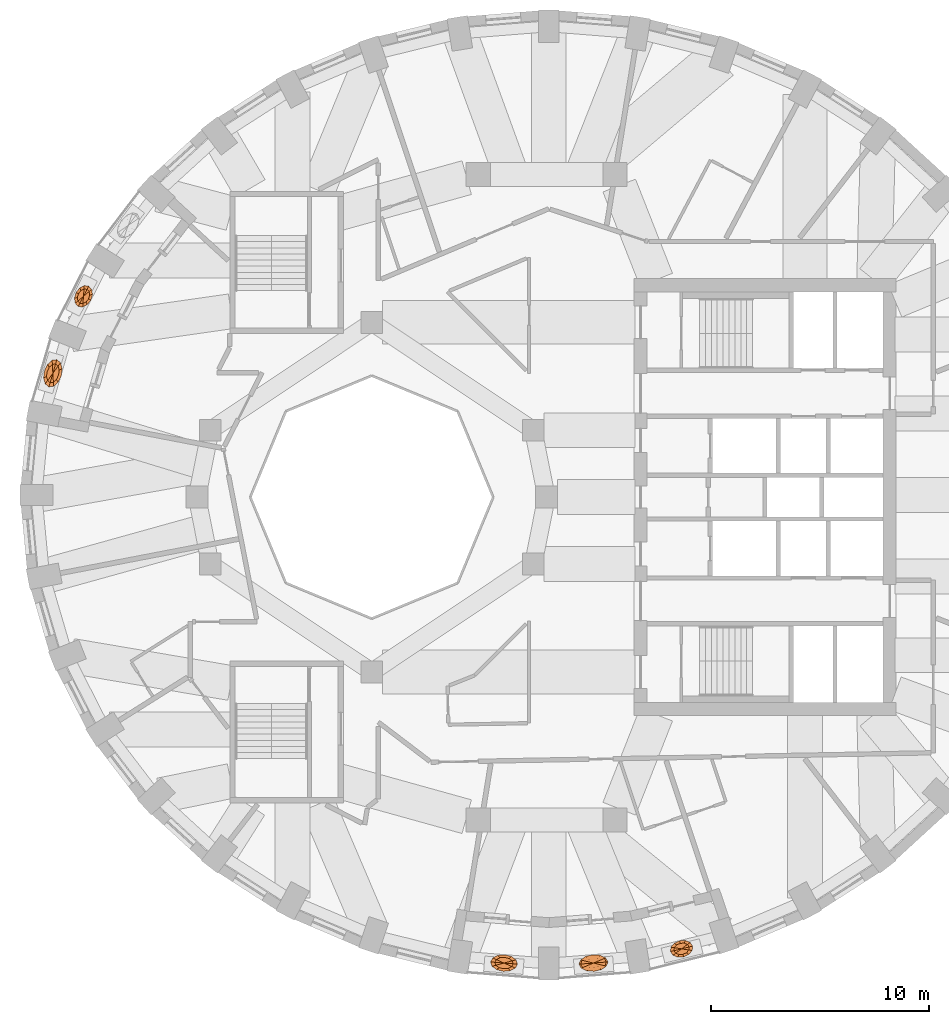
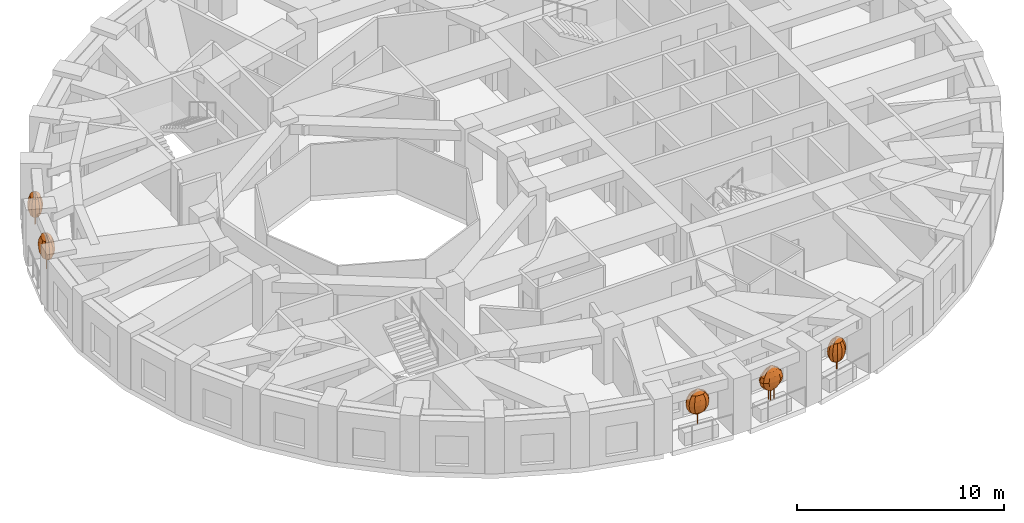
# One storey, part 10 of 11: 5 geographic elements.
"""IFC4 building model written with IfcOpenShell, lengths in metres."""

from ifc_helpers import new_model, si_unit, direction, frame, origin, place, context, subcontext, project, spatial, faceted_brep, material, constituent, constituent_set, type_object, element, save


model = new_model("IFC4")

# Units and contexts
model_context = context("Model", 3, precision=1e-05, world=origin(), true_north=direction((0.0, 1.0)))
body_context = subcontext(model_context, "Body", "Model", "MODEL_VIEW")
ifc_project = project(units=[si_unit("LENGTHUNIT", "METRE"), si_unit("AREAUNIT", "SQUARE_METRE"), si_unit("VOLUMEUNIT", "CUBIC_METRE"), si_unit("PLANEANGLEUNIT", "RADIAN"), si_unit("MASSUNIT", "GRAM", prefix="KILO")], contexts=[model_context])

# Site, building, storey
site_placement = place(None, origin())
site = spatial("IfcSite", under=ifc_project, at=site_placement, CompositionType="ELEMENT")
building_placement = place(site_placement, origin())
building = spatial("IfcBuilding", under=site, at=building_placement, Name="Taillehof Tower", CompositionType="ELEMENT")
storey_placement = place(building_placement, frame((0.0, 0.0, 158.300048828125)))
storey = spatial("IfcBuildingStorey", under=building, at=storey_placement, Name="L44", CompositionType="ELEMENT", Elevation=158.300048828125)

# Geographic elements
ifc_material_1 = material(Name="Tree bark", Category="timber")
ifc_constituent_1 = constituent(ifc_material_1, Name="Trunk", Category="timber")
ifc_material_2 = material(Name="Tree foliage")
ifc_constituent_2 = constituent(ifc_material_2, Name="Crown")
ifc_constituent_set_1 = constituent_set(constituents=[ifc_constituent_1, ifc_constituent_2], Name="Tree TR1 Columnar hornbeam")
geographic_element_type_1 = type_object("IfcGeographicElementType", Name="Tree TR1 Columnar hornbeam", PredefinedType="USERDEFINED", material=ifc_constituent_set_1)
geographic_element_1_placement = place(storey_placement, frame((-1.947265625, -21.32421875, 0.75)))
element("IfcGeographicElement", 1, at=geographic_element_1_placement, inside=storey, type_object=geographic_element_type_1, Name="Tree TR1 Columnar hornbeam", ObjectType="TREE", PredefinedType="USERDEFINED", context=body_context, shape_type="Brep", body=[
    faceted_brep([(0.030029296875, 0.0, 0.0), (0.021240234375, 0.021240234375, 0.0), (0.021240234375, 0.021240234375, 1.092529296875), (0.030029296875, 0.0, 1.092529296875), (0.0, 0.030029296875, 0.0), (0.0, 0.030029296875, 1.092529296875), (-0.021240234375, 0.021240234375, 0.0), (-0.021240234375, 0.021240234375, 1.092529296875), (-0.030029296875, 0.0, 0.0), (-0.030029296875, 0.0, 1.092529296875), (-0.021240234375, -0.021240234375, 0.0), (-0.021240234375, -0.021240234375, 1.092529296875), (0.0, -0.030029296875, 0.0), (0.0, -0.030029296875, 1.092529296875), (0.021240234375, -0.021240234375, 0.0), (0.021240234375, -0.021240234375, 1.092529296875)], [[[0, 1, 2, 3]], [[1, 4, 5, 2]], [[4, 6, 7, 5]], [[6, 8, 9, 7]], [[8, 10, 11, 9]], [[10, 12, 13, 11]], [[12, 14, 15, 13]], [[14, 0, 3, 15]], [[14, 12, 10, 8, 6, 4, 1, 0]], [[3, 2, 5, 7, 9, 11, 13, 15]]]),
    faceted_brep([(0.0, 0.0, 0.550048828125), (0.37451171875, 0.10009765625, 0.808349609375), (0.42041015625, -0.03369140625, 0.808349609375), (0.22802734375, 0.207275390625, 0.808349609375), (0.020751953125, 0.2587890625, 0.808349609375), (-0.1923828125, 0.240966796875, 0.808349609375), (-0.353759765625, 0.158447265625, 0.808349609375), (-0.42041015625, 0.03369140625, 0.808349609375), (-0.37451171875, -0.10009765625, 0.808349609375), (-0.22802734375, -0.207275390625, 0.808349609375), (-0.020751953125, -0.2587890625, 0.808349609375), (0.1923828125, -0.240966796875, 0.808349609375), (0.353759765625, -0.158447265625, 0.808349609375), (0.506591796875, 0.135498046875, 1.066650390625), (0.568603515625, -0.04541015625, 1.066650390625), (0.30859375, 0.2802734375, 1.066650390625), (0.028076171875, 0.35009765625, 1.066650390625), (-0.260009765625, 0.325927734375, 1.066650390625), (-0.478515625, 0.21435546875, 1.066650390625), (-0.568603515625, 0.04541015625, 1.066650390625), (-0.506591796875, -0.135498046875, 1.066650390625), (-0.30859375, -0.2802734375, 1.066650390625), (-0.028076171875, -0.35009765625, 1.066650390625), (0.260009765625, -0.325927734375, 1.066650390625), (0.478515625, -0.21435546875, 1.066650390625), (0.54833984375, 0.146728515625, 1.324951171875), (0.615478515625, -0.04931640625, 1.324951171875), (0.333984375, 0.303466796875, 1.324951171875), (0.0302734375, 0.37890625, 1.324951171875), (-0.281494140625, 0.352783203125, 1.324951171875), (-0.517822265625, 0.232177734375, 1.324951171875), (-0.615478515625, 0.04931640625, 1.324951171875), (-0.54833984375, -0.146728515625, 1.324951171875), (-0.333984375, -0.303466796875, 1.324951171875), (-0.0302734375, -0.37890625, 1.324951171875), (0.281494140625, -0.352783203125, 1.324951171875), (0.517822265625, -0.232177734375, 1.324951171875), (0.506591796875, 0.135498046875, 1.583251953125), (0.568603515625, -0.04541015625, 1.583251953125), (0.30859375, 0.2802734375, 1.583251953125), (0.028076171875, 0.35009765625, 1.583251953125), (-0.260009765625, 0.325927734375, 1.583251953125), (-0.478515625, 0.21435546875, 1.583251953125), (-0.568603515625, 0.04541015625, 1.583251953125), (-0.506591796875, -0.135498046875, 1.583251953125), (-0.30859375, -0.2802734375, 1.583251953125), (-0.028076171875, -0.35009765625, 1.583251953125), (0.260009765625, -0.325927734375, 1.583251953125), (0.478515625, -0.21435546875, 1.583251953125), (0.37451171875, 0.10009765625, 1.841552734375), (0.42041015625, -0.03369140625, 1.841552734375), (0.22802734375, 0.207275390625, 1.841552734375), (0.020751953125, 0.2587890625, 1.841552734375), (-0.1923828125, 0.240966796875, 1.841552734375), (-0.353759765625, 0.158447265625, 1.841552734375), (-0.42041015625, 0.03369140625, 1.841552734375), (-0.37451171875, -0.10009765625, 1.841552734375), (-0.22802734375, -0.207275390625, 1.841552734375), (-0.020751953125, -0.2587890625, 1.841552734375), (0.1923828125, -0.240966796875, 1.841552734375), (0.353759765625, -0.158447265625, 1.841552734375), (0.0, 0.0, 2.10009765625)], [[[0, 1, 2]], [[0, 3, 1]], [[0, 4, 3]], [[0, 5, 4]], [[0, 6, 5]], [[0, 7, 6]], [[0, 8, 7]], [[0, 9, 8]], [[0, 10, 9]], [[0, 11, 10]], [[0, 12, 11]], [[0, 2, 12]], [[2, 1, 13, 14]], [[1, 3, 15, 13]], [[3, 4, 16, 15]], [[4, 5, 17, 16]], [[5, 6, 18, 17]], [[6, 7, 19, 18]], [[7, 8, 20, 19]], [[8, 9, 21, 20]], [[9, 10, 22, 21]], [[10, 11, 23, 22]], [[11, 12, 24, 23]], [[12, 2, 14, 24]], [[14, 13, 25, 26]], [[13, 15, 27, 25]], [[15, 16, 28, 27]], [[16, 17, 29, 28]], [[17, 18, 30, 29]], [[18, 19, 31, 30]], [[19, 20, 32, 31]], [[20, 21, 33, 32]], [[21, 22, 34, 33]], [[22, 23, 35, 34]], [[23, 24, 36, 35]], [[24, 14, 26, 36]], [[26, 25, 37, 38]], [[25, 27, 39, 37]], [[27, 28, 40, 39]], [[28, 29, 41, 40]], [[29, 30, 42, 41]], [[30, 31, 43, 42]], [[31, 32, 44, 43]], [[32, 33, 45, 44]], [[33, 34, 46, 45]], [[34, 35, 47, 46]], [[35, 36, 48, 47]], [[36, 26, 38, 48]], [[38, 37, 49, 50]], [[37, 39, 51, 49]], [[39, 40, 52, 51]], [[40, 41, 53, 52]], [[41, 42, 54, 53]], [[42, 43, 55, 54]], [[43, 44, 56, 55]], [[44, 45, 57, 56]], [[45, 46, 58, 57]], [[46, 47, 59, 58]], [[47, 48, 60, 59]], [[48, 38, 50, 60]], [[50, 49, 61]], [[49, 51, 61]], [[51, 52, 61]], [[52, 53, 61]], [[53, 54, 61]], [[54, 55, 61]], [[55, 56, 61]], [[56, 57, 61]], [[57, 58, 61]], [[58, 59, 61]], [[59, 60, 61]], [[60, 50, 61]]]),
])
geographic_element_2_placement = place(storey_placement, frame((-22.59619140625, 5.668212890625, 0.75)))
element("IfcGeographicElement", 2, at=geographic_element_2_placement, inside=storey, type_object=geographic_element_type_1, Name="Tree TR1 Columnar hornbeam", ObjectType="TREE", PredefinedType="USERDEFINED", context=body_context, shape_type="Brep", body=[
    faceted_brep([(0.030029296875, 0.0, 0.0), (0.021240234375, 0.021240234375, 0.0), (0.021240234375, 0.021240234375, 1.092529296875), (0.030029296875, 0.0, 1.092529296875), (0.0, 0.030029296875, 0.0), (0.0, 0.030029296875, 1.092529296875), (-0.021240234375, 0.021240234375, 0.0), (-0.021240234375, 0.021240234375, 1.092529296875), (-0.030029296875, 0.0, 0.0), (-0.030029296875, 0.0, 1.092529296875), (-0.021240234375, -0.021240234375, 0.0), (-0.021240234375, -0.021240234375, 1.092529296875), (0.0, -0.030029296875, 0.0), (0.0, -0.030029296875, 1.092529296875), (0.021240234375, -0.021240234375, 0.0), (0.021240234375, -0.021240234375, 1.092529296875)], [[[0, 1, 2, 3]], [[1, 4, 5, 2]], [[4, 6, 7, 5]], [[6, 8, 9, 7]], [[8, 10, 11, 9]], [[10, 12, 13, 11]], [[12, 14, 15, 13]], [[14, 0, 3, 15]], [[14, 12, 10, 8, 6, 4, 1, 0]], [[3, 2, 5, 7, 9, 11, 13, 15]]]),
    faceted_brep([(0.0, 0.0, 0.550048828125), (0.02294921875, -0.407470703125, 0.808349609375), (-0.124755859375, -0.426025390625, 0.808349609375), (0.16455078125, -0.279541015625, 0.808349609375), (0.26220703125, -0.076904296875, 0.808349609375), (0.28955078125, 0.146484375, 0.808349609375), (0.2392578125, 0.33056640625, 0.808349609375), (0.124755859375, 0.426025390625, 0.808349609375), (-0.02294921875, 0.407470703125, 0.808349609375), (-0.16455078125, 0.279541015625, 0.808349609375), (-0.26220703125, 0.076904296875, 0.808349609375), (-0.28955078125, -0.146484375, 0.808349609375), (-0.2392578125, -0.33056640625, 0.808349609375), (0.03125, -0.551025390625, 1.066650390625), (-0.168701171875, -0.576416015625, 1.066650390625), (0.22265625, -0.378173828125, 1.066650390625), (0.354736328125, -0.10400390625, 1.066650390625), (0.3916015625, 0.1982421875, 1.066650390625), (0.323486328125, 0.447265625, 1.066650390625), (0.168701171875, 0.576416015625, 1.066650390625), (-0.03125, 0.551025390625, 1.066650390625), (-0.22265625, 0.378173828125, 1.066650390625), (-0.354736328125, 0.10400390625, 1.066650390625), (-0.3916015625, -0.1982421875, 1.066650390625), (-0.323486328125, -0.447265625, 1.066650390625), (0.03369140625, -0.596435546875, 1.324951171875), (-0.1826171875, -0.623779296875, 1.324951171875), (0.2412109375, -0.4091796875, 1.324951171875), (0.3837890625, -0.112548828125, 1.324951171875), (0.423828125, 0.214599609375, 1.324951171875), (0.35009765625, 0.48388671875, 1.324951171875), (0.1826171875, 0.623779296875, 1.324951171875), (-0.03369140625, 0.596435546875, 1.324951171875), (-0.2412109375, 0.4091796875, 1.324951171875), (-0.3837890625, 0.112548828125, 1.324951171875), (-0.423828125, -0.214599609375, 1.324951171875), (-0.35009765625, -0.48388671875, 1.324951171875), (0.03125, -0.551025390625, 1.583251953125), (-0.168701171875, -0.576416015625, 1.583251953125), (0.22265625, -0.378173828125, 1.583251953125), (0.354736328125, -0.10400390625, 1.583251953125), (0.3916015625, 0.1982421875, 1.583251953125), (0.323486328125, 0.447265625, 1.583251953125), (0.168701171875, 0.576416015625, 1.583251953125), (-0.03125, 0.551025390625, 1.583251953125), (-0.22265625, 0.378173828125, 1.583251953125), (-0.354736328125, 0.10400390625, 1.583251953125), (-0.3916015625, -0.1982421875, 1.583251953125), (-0.323486328125, -0.447265625, 1.583251953125), (0.02294921875, -0.407470703125, 1.841552734375), (-0.124755859375, -0.426025390625, 1.841552734375), (0.16455078125, -0.279541015625, 1.841552734375), (0.26220703125, -0.076904296875, 1.841552734375), (0.28955078125, 0.146484375, 1.841552734375), (0.2392578125, 0.33056640625, 1.841552734375), (0.124755859375, 0.426025390625, 1.841552734375), (-0.02294921875, 0.407470703125, 1.841552734375), (-0.16455078125, 0.279541015625, 1.841552734375), (-0.26220703125, 0.076904296875, 1.841552734375), (-0.28955078125, -0.146484375, 1.841552734375), (-0.2392578125, -0.33056640625, 1.841552734375), (0.0, 0.0, 2.10009765625)], [[[0, 1, 2]], [[0, 3, 1]], [[0, 4, 3]], [[0, 5, 4]], [[0, 6, 5]], [[0, 7, 6]], [[0, 8, 7]], [[0, 9, 8]], [[0, 10, 9]], [[0, 11, 10]], [[0, 12, 11]], [[0, 2, 12]], [[2, 1, 13, 14]], [[1, 3, 15, 13]], [[3, 4, 16, 15]], [[4, 5, 17, 16]], [[5, 6, 18, 17]], [[6, 7, 19, 18]], [[7, 8, 20, 19]], [[8, 9, 21, 20]], [[9, 10, 22, 21]], [[10, 11, 23, 22]], [[11, 12, 24, 23]], [[12, 2, 14, 24]], [[14, 13, 25, 26]], [[13, 15, 27, 25]], [[15, 16, 28, 27]], [[16, 17, 29, 28]], [[17, 18, 30, 29]], [[18, 19, 31, 30]], [[19, 20, 32, 31]], [[20, 21, 33, 32]], [[21, 22, 34, 33]], [[22, 23, 35, 34]], [[23, 24, 36, 35]], [[24, 14, 26, 36]], [[26, 25, 37, 38]], [[25, 27, 39, 37]], [[27, 28, 40, 39]], [[28, 29, 41, 40]], [[29, 30, 42, 41]], [[30, 31, 43, 42]], [[31, 32, 44, 43]], [[32, 33, 45, 44]], [[33, 34, 46, 45]], [[34, 35, 47, 46]], [[35, 36, 48, 47]], [[36, 26, 38, 48]], [[38, 37, 49, 50]], [[37, 39, 51, 49]], [[39, 40, 52, 51]], [[40, 41, 53, 52]], [[41, 42, 54, 53]], [[42, 43, 55, 54]], [[43, 44, 56, 55]], [[44, 45, 57, 56]], [[45, 46, 58, 57]], [[46, 47, 59, 58]], [[47, 48, 60, 59]], [[48, 38, 50, 60]], [[50, 49, 61]], [[49, 51, 61]], [[51, 52, 61]], [[52, 53, 61]], [[53, 54, 61]], [[54, 55, 61]], [[55, 56, 61]], [[56, 57, 61]], [[57, 58, 61]], [[58, 59, 61]], [[59, 60, 61]], [[60, 50, 61]]]),
])
ifc_material_3 = material(Name="Tree bark", Category="timber")
ifc_constituent_3 = constituent(ifc_material_3, Name="Trunk", Category="timber")
ifc_material_4 = material(Name="Tree foliage")
ifc_constituent_4 = constituent(ifc_material_4, Name="Crown")
ifc_constituent_set_2 = constituent_set(constituents=[ifc_constituent_3, ifc_constituent_4], Name="Tree TR2 Fastigiate yew")
geographic_element_type_2 = type_object("IfcGeographicElementType", Name="Tree TR2 Fastigiate yew", PredefinedType="USERDEFINED", material=ifc_constituent_set_2)
geographic_element_3_placement = place(storey_placement, frame((6.179443359375, -20.673583984375, 0.75)))
element("IfcGeographicElement", 3, at=geographic_element_3_placement, inside=storey, type_object=geographic_element_type_2, Name="Tree TR2 Fastigiate yew", ObjectType="TREE", PredefinedType="USERDEFINED", context=body_context, shape_type="Brep", body=[
    faceted_brep([(0.034912109375, 0.0, 0.0), (0.024658203125, 0.024658203125, 0.0), (0.024658203125, 0.024658203125, 0.909912109375), (0.034912109375, 0.0, 0.909912109375), (0.0, 0.034912109375, 0.0), (0.0, 0.034912109375, 0.909912109375), (-0.024658203125, 0.024658203125, 0.0), (-0.024658203125, 0.024658203125, 0.909912109375), (-0.034912109375, 0.0, 0.0), (-0.034912109375, 0.0, 0.909912109375), (-0.024658203125, -0.024658203125, 0.0), (-0.024658203125, -0.024658203125, 0.909912109375), (0.0, -0.034912109375, 0.0), (0.0, -0.034912109375, 0.909912109375), (0.024658203125, -0.024658203125, 0.0), (0.024658203125, -0.024658203125, 0.909912109375)], [[[0, 1, 2, 3]], [[1, 4, 5, 2]], [[4, 6, 7, 5]], [[6, 8, 9, 7]], [[8, 10, 11, 9]], [[10, 12, 13, 11]], [[12, 14, 15, 13]], [[14, 0, 3, 15]], [[14, 12, 10, 8, 6, 4, 1, 0]], [[3, 2, 5, 7, 9, 11, 13, 15]]]),
    faceted_brep([(0.0, 0.0, 0.35009765625), (0.269287109375, 0.19970703125, 0.61669921875), (0.3466796875, 0.0849609375, 0.61669921875), (0.119873046875, 0.2607421875, 0.61669921875), (-0.061767578125, 0.252197265625, 0.61669921875), (-0.226806640625, 0.17578125, 0.61669921875), (-0.3310546875, 0.052490234375, 0.61669921875), (-0.3466796875, -0.0849609375, 0.61669921875), (-0.269287109375, -0.19970703125, 0.61669921875), (-0.119873046875, -0.2607421875, 0.61669921875), (0.061767578125, -0.252197265625, 0.61669921875), (0.226806640625, -0.17578125, 0.61669921875), (0.3310546875, -0.052490234375, 0.61669921875), (0.3642578125, 0.27001953125, 0.88330078125), (0.468994140625, 0.114990234375, 0.88330078125), (0.162109375, 0.352783203125, 0.88330078125), (-0.08349609375, 0.341064453125, 0.88330078125), (-0.306884765625, 0.23779296875, 0.88330078125), (-0.44775390625, 0.071044921875, 0.88330078125), (-0.468994140625, -0.114990234375, 0.88330078125), (-0.3642578125, -0.27001953125, 0.88330078125), (-0.162109375, -0.352783203125, 0.88330078125), (0.08349609375, -0.341064453125, 0.88330078125), (0.306884765625, -0.23779296875, 0.88330078125), (0.44775390625, -0.071044921875, 0.88330078125), (0.394287109375, 0.292236328125, 1.14990234375), (0.507568359375, 0.12451171875, 1.14990234375), (0.17529296875, 0.3818359375, 1.14990234375), (-0.090576171875, 0.369140625, 1.14990234375), (-0.33203125, 0.25732421875, 1.14990234375), (-0.484619140625, 0.076904296875, 1.14990234375), (-0.507568359375, -0.12451171875, 1.14990234375), (-0.394287109375, -0.292236328125, 1.14990234375), (-0.17529296875, -0.3818359375, 1.14990234375), (0.090576171875, -0.369140625, 1.14990234375), (0.33203125, -0.25732421875, 1.14990234375), (0.484619140625, -0.076904296875, 1.14990234375), (0.3642578125, 0.27001953125, 1.416748046875), (0.468994140625, 0.114990234375, 1.416748046875), (0.162109375, 0.352783203125, 1.416748046875), (-0.08349609375, 0.341064453125, 1.416748046875), (-0.306884765625, 0.23779296875, 1.416748046875), (-0.44775390625, 0.071044921875, 1.416748046875), (-0.468994140625, -0.114990234375, 1.416748046875), (-0.3642578125, -0.27001953125, 1.416748046875), (-0.162109375, -0.352783203125, 1.416748046875), (0.08349609375, -0.341064453125, 1.416748046875), (0.306884765625, -0.23779296875, 1.416748046875), (0.44775390625, -0.071044921875, 1.416748046875), (0.269287109375, 0.19970703125, 1.683349609375), (0.3466796875, 0.0849609375, 1.683349609375), (0.119873046875, 0.2607421875, 1.683349609375), (-0.061767578125, 0.252197265625, 1.683349609375), (-0.226806640625, 0.17578125, 1.683349609375), (-0.3310546875, 0.052490234375, 1.683349609375), (-0.3466796875, -0.0849609375, 1.683349609375), (-0.269287109375, -0.19970703125, 1.683349609375), (-0.119873046875, -0.2607421875, 1.683349609375), (0.061767578125, -0.252197265625, 1.683349609375), (0.226806640625, -0.17578125, 1.683349609375), (0.3310546875, -0.052490234375, 1.683349609375), (0.0, 0.0, 1.949951171875)], [[[0, 1, 2]], [[0, 3, 1]], [[0, 4, 3]], [[0, 5, 4]], [[0, 6, 5]], [[0, 7, 6]], [[0, 8, 7]], [[0, 9, 8]], [[0, 10, 9]], [[0, 11, 10]], [[0, 12, 11]], [[0, 2, 12]], [[2, 1, 13, 14]], [[1, 3, 15, 13]], [[3, 4, 16, 15]], [[4, 5, 17, 16]], [[5, 6, 18, 17]], [[6, 7, 19, 18]], [[7, 8, 20, 19]], [[8, 9, 21, 20]], [[9, 10, 22, 21]], [[10, 11, 23, 22]], [[11, 12, 24, 23]], [[12, 2, 14, 24]], [[14, 13, 25, 26]], [[13, 15, 27, 25]], [[15, 16, 28, 27]], [[16, 17, 29, 28]], [[17, 18, 30, 29]], [[18, 19, 31, 30]], [[19, 20, 32, 31]], [[20, 21, 33, 32]], [[21, 22, 34, 33]], [[22, 23, 35, 34]], [[23, 24, 36, 35]], [[24, 14, 26, 36]], [[26, 25, 37, 38]], [[25, 27, 39, 37]], [[27, 28, 40, 39]], [[28, 29, 41, 40]], [[29, 30, 42, 41]], [[30, 31, 43, 42]], [[31, 32, 44, 43]], [[32, 33, 45, 44]], [[33, 34, 46, 45]], [[34, 35, 47, 46]], [[35, 36, 48, 47]], [[36, 26, 38, 48]], [[38, 37, 49, 50]], [[37, 39, 51, 49]], [[39, 40, 52, 51]], [[40, 41, 53, 52]], [[41, 42, 54, 53]], [[42, 43, 55, 54]], [[43, 44, 56, 55]], [[44, 45, 57, 56]], [[45, 46, 58, 57]], [[46, 47, 59, 58]], [[47, 48, 60, 59]], [[48, 38, 50, 60]], [[50, 49, 61]], [[49, 51, 61]], [[51, 52, 61]], [[52, 53, 61]], [[53, 54, 61]], [[54, 55, 61]], [[55, 56, 61]], [[56, 57, 61]], [[57, 58, 61]], [[58, 59, 61]], [[59, 60, 61]], [[60, 50, 61]]]),
])
geographic_element_4_placement = place(storey_placement, frame((-21.1943359375, 9.19189453125, 0.75)))
element("IfcGeographicElement", 4, at=geographic_element_4_placement, inside=storey, type_object=geographic_element_type_2, Name="Tree TR2 Fastigiate yew", ObjectType="TREE", PredefinedType="USERDEFINED", context=body_context, shape_type="Brep", body=[
    faceted_brep([(0.034912109375, 0.0, 0.0), (0.024658203125, 0.024658203125, 0.0), (0.024658203125, 0.024658203125, 0.909912109375), (0.034912109375, 0.0, 0.909912109375), (0.0, 0.034912109375, 0.0), (0.0, 0.034912109375, 0.909912109375), (-0.024658203125, 0.024658203125, 0.0), (-0.024658203125, 0.024658203125, 0.909912109375), (-0.034912109375, 0.0, 0.0), (-0.034912109375, 0.0, 0.909912109375), (-0.024658203125, -0.024658203125, 0.0), (-0.024658203125, -0.024658203125, 0.909912109375), (0.0, -0.034912109375, 0.0), (0.0, -0.034912109375, 0.909912109375), (0.024658203125, -0.024658203125, 0.0), (0.024658203125, -0.024658203125, 0.909912109375)], [[[0, 1, 2, 3]], [[1, 4, 5, 2]], [[4, 6, 7, 5]], [[6, 8, 9, 7]], [[8, 10, 11, 9]], [[10, 12, 13, 11]], [[12, 14, 15, 13]], [[14, 0, 3, 15]], [[14, 12, 10, 8, 6, 4, 1, 0]], [[3, 2, 5, 7, 9, 11, 13, 15]]]),
    faceted_brep([(0.0, 0.0, 0.35009765625), (-0.024658203125, -0.334228515625, 0.61669921875), (-0.162109375, -0.31787109375, 0.61669921875), (0.119140625, -0.260986328125, 0.61669921875), (0.231201171875, -0.117919921875, 0.61669921875), (0.28125, 0.056884765625, 0.61669921875), (0.255859375, 0.21630859375, 0.61669921875), (0.162109375, 0.31787109375, 0.61669921875), (0.024658203125, 0.334228515625, 0.61669921875), (-0.119140625, 0.260986328125, 0.61669921875), (-0.231201171875, 0.117919921875, 0.61669921875), (-0.28125, -0.056884765625, 0.61669921875), (-0.255859375, -0.21630859375, 0.61669921875), (-0.033447265625, -0.4521484375, 0.88330078125), (-0.21923828125, -0.43017578125, 0.88330078125), (0.161376953125, -0.35302734375, 0.88330078125), (0.312744140625, -0.159423828125, 0.88330078125), (0.380615234375, 0.076904296875, 0.88330078125), (0.34619140625, 0.292724609375, 0.88330078125), (0.21923828125, 0.43017578125, 0.88330078125), (0.033447265625, 0.4521484375, 0.88330078125), (-0.161376953125, 0.35302734375, 0.88330078125), (-0.312744140625, 0.159423828125, 0.88330078125), (-0.380615234375, -0.076904296875, 0.88330078125), (-0.34619140625, -0.292724609375, 0.88330078125), (-0.0361328125, -0.489501953125, 1.14990234375), (-0.2373046875, -0.465576171875, 1.14990234375), (0.174560546875, -0.38232421875, 1.14990234375), (0.338623046875, -0.172607421875, 1.14990234375), (0.411865234375, 0.083251953125, 1.14990234375), (0.374755859375, 0.31689453125, 1.14990234375), (0.2373046875, 0.465576171875, 1.14990234375), (0.0361328125, 0.489501953125, 1.14990234375), (-0.174560546875, 0.38232421875, 1.14990234375), (-0.338623046875, 0.172607421875, 1.14990234375), (-0.411865234375, -0.083251953125, 1.14990234375), (-0.374755859375, -0.31689453125, 1.14990234375), (-0.033447265625, -0.4521484375, 1.416748046875), (-0.21923828125, -0.43017578125, 1.416748046875), (0.161376953125, -0.35302734375, 1.416748046875), (0.312744140625, -0.159423828125, 1.416748046875), (0.380615234375, 0.076904296875, 1.416748046875), (0.34619140625, 0.292724609375, 1.416748046875), (0.21923828125, 0.43017578125, 1.416748046875), (0.033447265625, 0.4521484375, 1.416748046875), (-0.161376953125, 0.35302734375, 1.416748046875), (-0.312744140625, 0.159423828125, 1.416748046875), (-0.380615234375, -0.076904296875, 1.416748046875), (-0.34619140625, -0.292724609375, 1.416748046875), (-0.024658203125, -0.334228515625, 1.683349609375), (-0.162109375, -0.31787109375, 1.683349609375), (0.119140625, -0.260986328125, 1.683349609375), (0.231201171875, -0.117919921875, 1.683349609375), (0.28125, 0.056884765625, 1.683349609375), (0.255859375, 0.21630859375, 1.683349609375), (0.162109375, 0.31787109375, 1.683349609375), (0.024658203125, 0.334228515625, 1.683349609375), (-0.119140625, 0.260986328125, 1.683349609375), (-0.231201171875, 0.117919921875, 1.683349609375), (-0.28125, -0.056884765625, 1.683349609375), (-0.255859375, -0.21630859375, 1.683349609375), (0.0, 0.0, 1.949951171875)], [[[0, 1, 2]], [[0, 3, 1]], [[0, 4, 3]], [[0, 5, 4]], [[0, 6, 5]], [[0, 7, 6]], [[0, 8, 7]], [[0, 9, 8]], [[0, 10, 9]], [[0, 11, 10]], [[0, 12, 11]], [[0, 2, 12]], [[2, 1, 13, 14]], [[1, 3, 15, 13]], [[3, 4, 16, 15]], [[4, 5, 17, 16]], [[5, 6, 18, 17]], [[6, 7, 19, 18]], [[7, 8, 20, 19]], [[8, 9, 21, 20]], [[9, 10, 22, 21]], [[10, 11, 23, 22]], [[11, 12, 24, 23]], [[12, 2, 14, 24]], [[14, 13, 25, 26]], [[13, 15, 27, 25]], [[15, 16, 28, 27]], [[16, 17, 29, 28]], [[17, 18, 30, 29]], [[18, 19, 31, 30]], [[19, 20, 32, 31]], [[20, 21, 33, 32]], [[21, 22, 34, 33]], [[22, 23, 35, 34]], [[23, 24, 36, 35]], [[24, 14, 26, 36]], [[26, 25, 37, 38]], [[25, 27, 39, 37]], [[27, 28, 40, 39]], [[28, 29, 41, 40]], [[29, 30, 42, 41]], [[30, 31, 43, 42]], [[31, 32, 44, 43]], [[32, 33, 45, 44]], [[33, 34, 46, 45]], [[34, 35, 47, 46]], [[35, 36, 48, 47]], [[36, 26, 38, 48]], [[38, 37, 49, 50]], [[37, 39, 51, 49]], [[39, 40, 52, 51]], [[40, 41, 53, 52]], [[41, 42, 54, 53]], [[42, 43, 55, 54]], [[43, 44, 56, 55]], [[44, 45, 57, 56]], [[45, 46, 58, 57]], [[46, 47, 59, 58]], [[47, 48, 60, 59]], [[48, 38, 50, 60]], [[50, 49, 61]], [[49, 51, 61]], [[51, 52, 61]], [[52, 53, 61]], [[53, 54, 61]], [[54, 55, 61]], [[55, 56, 61]], [[56, 57, 61]], [[57, 58, 61]], [[58, 59, 61]], [[59, 60, 61]], [[60, 50, 61]]]),
])
ifc_material_5 = material(Name="Tree bark", Category="timber")
ifc_constituent_5 = constituent(ifc_material_5, Name="Trunk", Category="timber")
ifc_material_6 = material(Name="Tree foliage")
ifc_constituent_6 = constituent(ifc_material_6, Name="Crown")
ifc_constituent_set_3 = constituent_set(constituents=[ifc_constituent_5, ifc_constituent_6], Name="Tree TR3 Multi-stem serviceberry")
geographic_element_type_3 = type_object("IfcGeographicElementType", Name="Tree TR3 Multi-stem serviceberry", PredefinedType="USERDEFINED", material=ifc_constituent_set_3)
geographic_element_5_placement = place(storey_placement, frame((2.147216796875, -21.32421875, 0.75)))
element("IfcGeographicElement", 5, at=geographic_element_5_placement, inside=storey, type_object=geographic_element_type_3, Name="Tree TR3 Multi-stem serviceberry", ObjectType="TREE", PredefinedType="USERDEFINED", context=body_context, shape_type="Brep", body=[
    faceted_brep([(0.195068359375, 0.0, 0.0), (0.186767578125, 0.0205078125, 0.0), (0.186767578125, 0.0205078125, 1.04248046875), (0.195068359375, 0.0, 1.04248046875), (0.166259765625, 0.02880859375, 0.0), (0.166259765625, 0.02880859375, 1.04248046875), (0.145751953125, 0.0205078125, 0.0), (0.145751953125, 0.0205078125, 1.04248046875), (0.137451171875, 0.0, 0.0), (0.137451171875, 0.0, 1.04248046875), (0.145751953125, -0.0205078125, 0.0), (0.145751953125, -0.0205078125, 1.04248046875), (0.166259765625, -0.02880859375, 0.0), (0.166259765625, -0.02880859375, 1.04248046875), (0.186767578125, -0.0205078125, 0.0), (0.186767578125, -0.0205078125, 1.04248046875)], [[[0, 1, 2, 3]], [[1, 4, 5, 2]], [[4, 6, 7, 5]], [[6, 8, 9, 7]], [[8, 10, 11, 9]], [[10, 12, 13, 11]], [[12, 14, 15, 13]], [[14, 0, 3, 15]], [[14, 12, 10, 8, 6, 4, 1, 0]], [[3, 2, 5, 7, 9, 11, 13, 15]]]),
    faceted_brep([(-0.05419921875, 0.082275390625, 0.0), (-0.062744140625, 0.102783203125, 0.0), (-0.062744140625, 0.102783203125, 1.04248046875), (-0.05419921875, 0.082275390625, 1.04248046875), (-0.0830078125, 0.111083984375, 0.0), (-0.0830078125, 0.111083984375, 1.04248046875), (-0.103515625, 0.102783203125, 0.0), (-0.103515625, 0.102783203125, 1.04248046875), (-0.112060546875, 0.082275390625, 0.0), (-0.112060546875, 0.082275390625, 1.04248046875), (-0.103515625, 0.061767578125, 0.0), (-0.103515625, 0.061767578125, 1.04248046875), (-0.0830078125, 0.053466796875, 0.0), (-0.0830078125, 0.053466796875, 1.04248046875), (-0.062744140625, 0.061767578125, 0.0), (-0.062744140625, 0.061767578125, 1.04248046875)], [[[0, 1, 2, 3]], [[1, 4, 5, 2]], [[4, 6, 7, 5]], [[6, 8, 9, 7]], [[8, 10, 11, 9]], [[10, 12, 13, 11]], [[12, 14, 15, 13]], [[14, 0, 3, 15]], [[14, 12, 10, 8, 6, 4, 1, 0]], [[3, 2, 5, 7, 9, 11, 13, 15]]]),
    faceted_brep([(-0.05419921875, -0.082275390625, 0.0), (-0.062744140625, -0.061767578125, 0.0), (-0.062744140625, -0.061767578125, 1.04248046875), (-0.05419921875, -0.082275390625, 1.04248046875), (-0.0830078125, -0.053466796875, 0.0), (-0.0830078125, -0.053466796875, 1.04248046875), (-0.103515625, -0.061767578125, 0.0), (-0.103515625, -0.061767578125, 1.04248046875), (-0.112060546875, -0.082275390625, 0.0), (-0.112060546875, -0.082275390625, 1.04248046875), (-0.103515625, -0.102783203125, 0.0), (-0.103515625, -0.102783203125, 1.04248046875), (-0.0830078125, -0.111083984375, 0.0), (-0.0830078125, -0.111083984375, 1.04248046875), (-0.062744140625, -0.102783203125, 0.0), (-0.062744140625, -0.102783203125, 1.04248046875)], [[[0, 1, 2, 3]], [[1, 4, 5, 2]], [[4, 6, 7, 5]], [[6, 8, 9, 7]], [[8, 10, 11, 9]], [[10, 12, 13, 11]], [[12, 14, 15, 13]], [[14, 0, 3, 15]], [[14, 12, 10, 8, 6, 4, 1, 0]], [[3, 2, 5, 7, 9, 11, 13, 15]]]),
    faceted_brep([(0.0, 0.0, 0.5), (0.321044921875, 0.13525390625, 0.75830078125), (0.380615234375, 0.030517578125, 0.75830078125), (0.17529296875, 0.20361328125, 0.75830078125), (-0.017333984375, 0.217529296875, 0.75830078125), (-0.205322265625, 0.173095703125, 0.75830078125), (-0.33837890625, 0.082275390625, 0.75830078125), (-0.380615234375, -0.030517578125, 0.75830078125), (-0.321044921875, -0.13525390625, 0.75830078125), (-0.17529296875, -0.20361328125, 0.75830078125), (0.017333984375, -0.217529296875, 0.75830078125), (0.205322265625, -0.173095703125, 0.75830078125), (0.33837890625, -0.082275390625, 0.75830078125), (0.498046875, 0.209716796875, 1.0166015625), (0.5908203125, 0.04736328125, 1.0166015625), (0.27197265625, 0.31591796875, 1.0166015625), (-0.027099609375, 0.337646484375, 1.0166015625), (-0.31884765625, 0.268798828125, 1.0166015625), (-0.525146484375, 0.1279296875, 1.0166015625), (-0.5908203125, -0.04736328125, 1.0166015625), (-0.498046875, -0.209716796875, 1.0166015625), (-0.27197265625, -0.31591796875, 1.0166015625), (0.027099609375, -0.337646484375, 1.0166015625), (0.31884765625, -0.268798828125, 1.0166015625), (0.525146484375, -0.1279296875, 1.0166015625), (0.558837890625, 0.2353515625, 1.27490234375), (0.662841796875, 0.052978515625, 1.27490234375), (0.30517578125, 0.3544921875, 1.27490234375), (-0.0302734375, 0.37890625, 1.27490234375), (-0.357666015625, 0.301513671875, 1.27490234375), (-0.589111328125, 0.1435546875, 1.27490234375), (-0.662841796875, -0.052978515625, 1.27490234375), (-0.558837890625, -0.2353515625, 1.27490234375), (-0.30517578125, -0.3544921875, 1.27490234375), (0.0302734375, -0.37890625, 1.27490234375), (0.357666015625, -0.301513671875, 1.27490234375), (0.589111328125, -0.1435546875, 1.27490234375), (0.498046875, 0.209716796875, 1.533447265625), (0.5908203125, 0.04736328125, 1.533447265625), (0.27197265625, 0.31591796875, 1.533447265625), (-0.027099609375, 0.337646484375, 1.533447265625), (-0.31884765625, 0.268798828125, 1.533447265625), (-0.525146484375, 0.1279296875, 1.533447265625), (-0.5908203125, -0.04736328125, 1.533447265625), (-0.498046875, -0.209716796875, 1.533447265625), (-0.27197265625, -0.31591796875, 1.533447265625), (0.027099609375, -0.337646484375, 1.533447265625), (0.31884765625, -0.268798828125, 1.533447265625), (0.525146484375, -0.1279296875, 1.533447265625), (0.321044921875, 0.13525390625, 1.791748046875), (0.380615234375, 0.030517578125, 1.791748046875), (0.17529296875, 0.20361328125, 1.791748046875), (-0.017333984375, 0.217529296875, 1.791748046875), (-0.205322265625, 0.173095703125, 1.791748046875), (-0.33837890625, 0.082275390625, 1.791748046875), (-0.380615234375, -0.030517578125, 1.791748046875), (-0.321044921875, -0.13525390625, 1.791748046875), (-0.17529296875, -0.20361328125, 1.791748046875), (0.017333984375, -0.217529296875, 1.791748046875), (0.205322265625, -0.173095703125, 1.791748046875), (0.33837890625, -0.082275390625, 1.791748046875), (0.0, 0.0, 2.050048828125)], [[[0, 1, 2]], [[0, 3, 1]], [[0, 4, 3]], [[0, 5, 4]], [[0, 6, 5]], [[0, 7, 6]], [[0, 8, 7]], [[0, 9, 8]], [[0, 10, 9]], [[0, 11, 10]], [[0, 12, 11]], [[0, 2, 12]], [[2, 1, 13, 14]], [[1, 3, 15, 13]], [[3, 4, 16, 15]], [[4, 5, 17, 16]], [[5, 6, 18, 17]], [[6, 7, 19, 18]], [[7, 8, 20, 19]], [[8, 9, 21, 20]], [[9, 10, 22, 21]], [[10, 11, 23, 22]], [[11, 12, 24, 23]], [[12, 2, 14, 24]], [[14, 13, 25, 26]], [[13, 15, 27, 25]], [[15, 16, 28, 27]], [[16, 17, 29, 28]], [[17, 18, 30, 29]], [[18, 19, 31, 30]], [[19, 20, 32, 31]], [[20, 21, 33, 32]], [[21, 22, 34, 33]], [[22, 23, 35, 34]], [[23, 24, 36, 35]], [[24, 14, 26, 36]], [[26, 25, 37, 38]], [[25, 27, 39, 37]], [[27, 28, 40, 39]], [[28, 29, 41, 40]], [[29, 30, 42, 41]], [[30, 31, 43, 42]], [[31, 32, 44, 43]], [[32, 33, 45, 44]], [[33, 34, 46, 45]], [[34, 35, 47, 46]], [[35, 36, 48, 47]], [[36, 26, 38, 48]], [[38, 37, 49, 50]], [[37, 39, 51, 49]], [[39, 40, 52, 51]], [[40, 41, 53, 52]], [[41, 42, 54, 53]], [[42, 43, 55, 54]], [[43, 44, 56, 55]], [[44, 45, 57, 56]], [[45, 46, 58, 57]], [[46, 47, 59, 58]], [[47, 48, 60, 59]], [[48, 38, 50, 60]], [[50, 49, 61]], [[49, 51, 61]], [[51, 52, 61]], [[52, 53, 61]], [[53, 54, 61]], [[54, 55, 61]], [[55, 56, 61]], [[56, 57, 61]], [[57, 58, 61]], [[58, 59, 61]], [[59, 60, 61]], [[60, 50, 61]]]),
])

save(model, "model.ifc")
